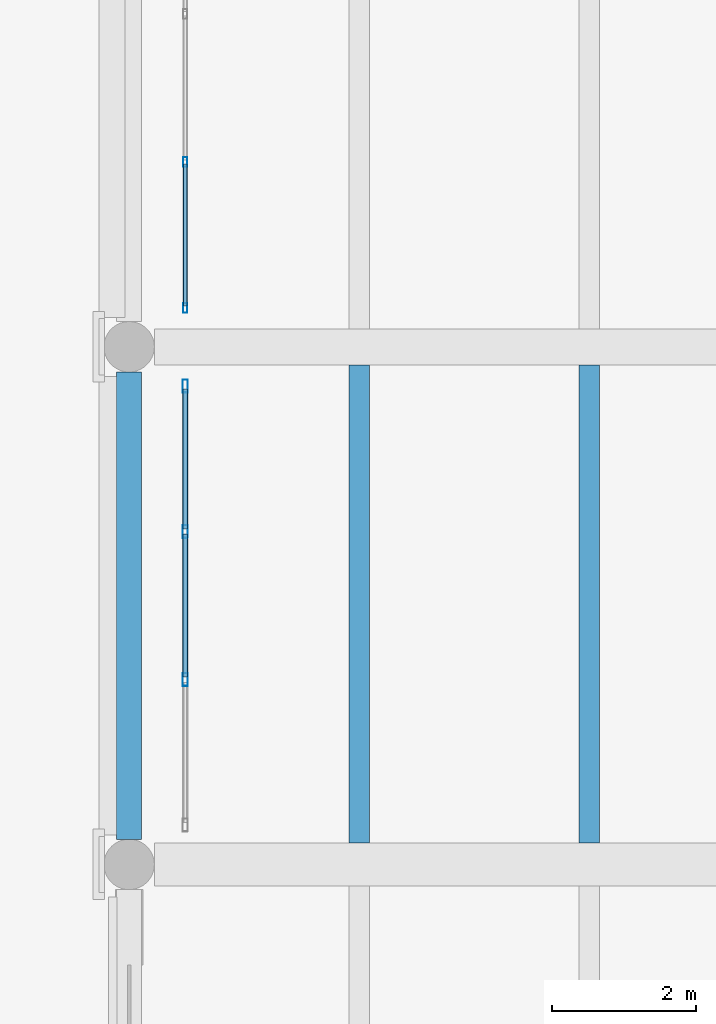
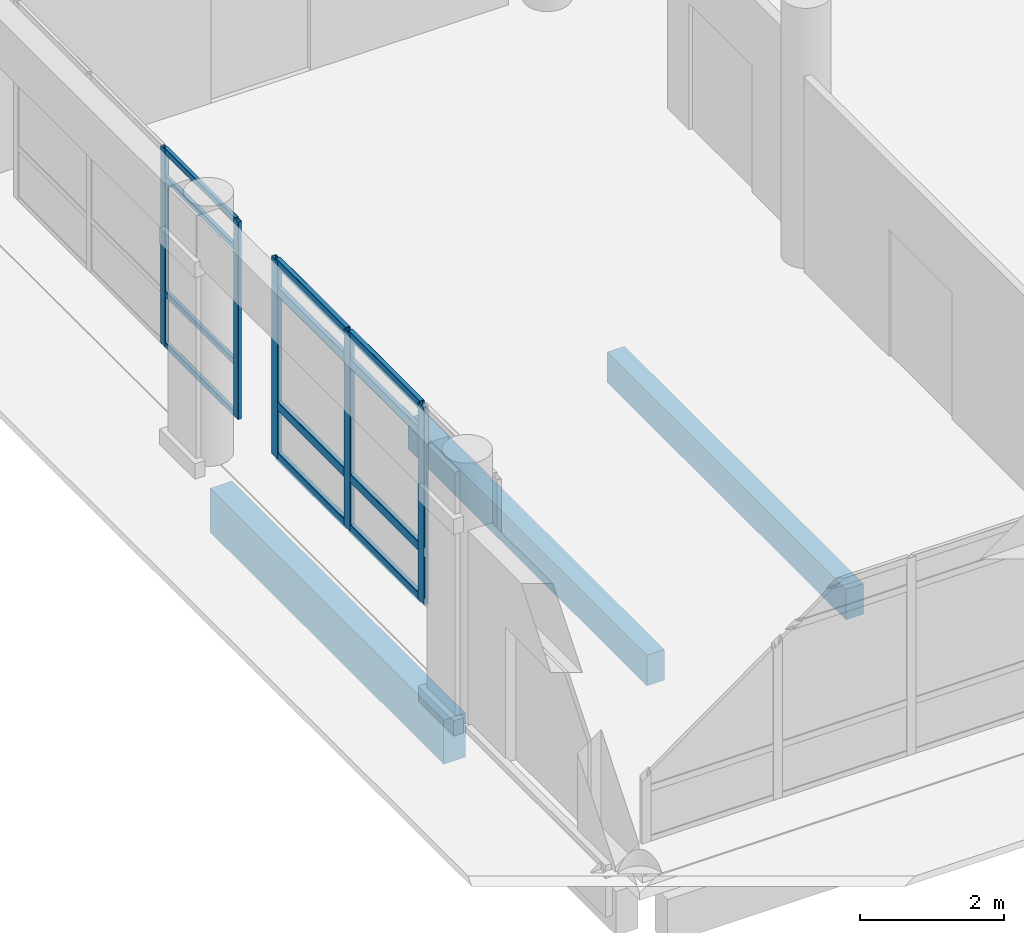
# One storey, part 23 of 196: 17 members, 3 beams, 2 elements without a shape of their own.
"""IFC4 building model written with IfcOpenShell, lengths in metres."""

import ifcopenshell
import ifcopenshell.guid

model = None  # the IFC model being written
_history = None  # IfcOwnerHistory: only IFC2X3 demands one
_inside = {}  # id of a spatial element -> (the spatial element, [elements in it])
_under = {}  # id of a project, library or spatial element -> (it, [spatial elements below it])
_declared = {}  # id of a project -> (the project, [libraries it declares])
_typed = {}  # id of a type object -> (the type object, [elements of that type])
_made_of = {}  # id of a material, layer set ... -> (it, [elements and type objects made of it])


def new_model(schema):
    """Start an empty IFC model of exactly this schema.

    Asked for "IFC4X3", IfcOpenShell would pick the latest addendum, in which some entities
    have other attributes; the version numbers below select the first issue.
    IFC2X3 requires an IfcOwnerHistory on every rooted entity: one is made here for all.
    """
    global model, _history
    if schema == "IFC4X3":
        model = ifcopenshell.file(schema_version=(4, 3, 0, 0))
    else:
        model = ifcopenshell.file(schema=schema)
    _inside.clear()
    _under.clear()
    _declared.clear()
    _typed.clear()
    _made_of.clear()
    _history = None
    if model.schema == "IFC2X3":
        org = make("IfcOrganization", Name="unknown")
        user = make(
            "IfcPersonAndOrganization",
            ThePerson=make("IfcPerson", FamilyName="unknown"),
            TheOrganization=org,
        )
        app = make(
            "IfcApplication",
            ApplicationDeveloper=org,
            Version="unknown",
            ApplicationFullName="unknown",
            ApplicationIdentifier="unknown",
        )
        _history = make(
            "IfcOwnerHistory",
            OwningUser=user,
            OwningApplication=app,
            ChangeAction="ADDED",
            CreationDate=0,
        )
    return model


def make(cls, **values):
    """One entity of the class cls with the attributes given. An attribute that is None is left unset."""
    return model.create_entity(
        cls, **{name: value for name, value in values.items() if value is not None}
    )


def rooted(cls, **values):
    """An entity with a GlobalId (a new one), such as an element, a storey or a relation."""
    return make(cls, GlobalId=ifcopenshell.guid.new(), OwnerHistory=_history, **values)


def si_unit(unit_type, name, prefix=None):
    """IfcSIUnit, for example si_unit("LENGTHUNIT", "METRE", prefix="MILLI")."""
    return make("IfcSIUnit", UnitType=unit_type, Prefix=prefix, Name=name)


def assignment(units):
    """IfcUnitAssignment: the units of a project."""
    return None if units is None else make("IfcUnitAssignment", Units=units)


def point(xyz):
    """IfcCartesianPoint."""
    return None if xyz is None else make("IfcCartesianPoint", Coordinates=xyz)


def direction(xyz):
    """IfcDirection."""
    return None if xyz is None else make("IfcDirection", DirectionRatios=xyz)


def frame(location, z_axis=None, x_axis=None):
    """IfcAxis2Placement3D, a coordinate frame: its origin and axes. An axis left out is left unset."""
    return make(
        "IfcAxis2Placement3D",
        Location=point(location),
        Axis=direction(z_axis),
        RefDirection=direction(x_axis),
    )


def frame_2d(location, x_axis=None):
    """IfcAxis2Placement2D, a coordinate frame in the plane: its origin and x axis."""
    return make(
        "IfcAxis2Placement2D", Location=point(location), RefDirection=direction(x_axis)
    )


def origin():
    """The frame at (0, 0, 0) with its axes left unset."""
    return frame((0.0, 0.0, 0.0))


def origin_2d():
    """The frame at (0, 0) in the plane with its x axis left unset."""
    return frame_2d((0.0, 0.0))


def place(relative_to, where):
    """IfcLocalPlacement: puts the frame where relative to a parent placement (None: the world)."""
    return make(
        "IfcLocalPlacement", PlacementRelTo=relative_to, RelativePlacement=where
    )


def context(
    kind, dimensions, precision=None, world=None, true_north=None, identifier=None
):
    """IfcGeometricRepresentationContext, for example the 3D "Model" context."""
    return make(
        "IfcGeometricRepresentationContext",
        ContextIdentifier=identifier,
        ContextType=kind,
        CoordinateSpaceDimension=dimensions,
        Precision=precision,
        WorldCoordinateSystem=world,
        TrueNorth=true_north,
    )


def subcontext(parent, identifier, kind, view, scale=None):
    """IfcGeometricRepresentationSubContext, for example "Body" below "Model"."""
    return make(
        "IfcGeometricRepresentationSubContext",
        ContextIdentifier=identifier,
        ContextType=kind,
        ParentContext=parent,
        TargetScale=scale,
        TargetView=view,
    )


def project(units=None, contexts=None):
    """IfcProject with its units and contexts."""
    return rooted(
        "IfcProject",
        Name="project",
        RepresentationContexts=contexts,
        UnitsInContext=assignment(units),
    )


def spatial(cls, under=None, at=None, **own):
    """A site, building, storey or space (cls), placed at a placement, below another one or the project."""
    s = rooted(cls, ObjectPlacement=at, **own)
    if under is not None:
        _under.setdefault(under.id(), (under, []))[1].append(s)
    return s


def profile(cls, at=None, kind="AREA", **sizes):
    """A parametric profile (cls). Its sizes go by their IFC names, for example OverallWidth=200.0."""
    return make(cls, ProfileType=kind, Position=at, **sizes)


def rectangle(**sizes):
    """IfcRectangleProfileDef."""
    return profile("IfcRectangleProfileDef", **sizes)


def hollow_rectangle(**sizes):
    """IfcRectangleHollowProfileDef."""
    return profile("IfcRectangleHollowProfileDef", **sizes)


def extrude(swept, where, along, depth):
    """IfcExtrudedAreaSolid: the profile swept, set in the frame where, extruded along a direction by depth."""
    return make(
        "IfcExtrudedAreaSolid",
        SweptArea=swept,
        Position=where,
        ExtrudedDirection=direction(along),
        Depth=depth,
    )


def shape(context_of_items, identifier, shape_type, items):
    """IfcShapeRepresentation: the items that make up one representation, for example the "Body"."""
    return make(
        "IfcShapeRepresentation",
        ContextOfItems=context_of_items,
        RepresentationIdentifier=identifier,
        RepresentationType=shape_type,
        Items=items,
    )


def material(Name=None, Category=None):
    """IfcMaterial."""
    return make("IfcMaterial", Name=Name, Category=Category)


def layer(
    of_material, thickness, ventilated=None, Name=None, Category=None, Priority=None
):
    """IfcMaterialLayer: one layer of a wall or slab, of a material (None: an air gap)."""
    return make(
        "IfcMaterialLayer",
        Material=of_material,
        LayerThickness=thickness,
        IsVentilated=ventilated,
        Name=Name,
        Category=Category,
        Priority=Priority,
    )


def layer_set(layers, Name=None):
    """IfcMaterialLayerSet."""
    return make("IfcMaterialLayerSet", MaterialLayers=layers, LayerSetName=Name)


def material_profile(
    of_material, cross_section, Name=None, Category=None, Priority=None
):
    """IfcMaterialProfile: a cross section and its material."""
    return make(
        "IfcMaterialProfile",
        Name=Name,
        Material=of_material,
        Profile=cross_section,
        Priority=Priority,
        Category=Category,
    )


def profile_set(profiles, Name=None, composite=None):
    """IfcMaterialProfileSet."""
    return make(
        "IfcMaterialProfileSet",
        Name=Name,
        MaterialProfiles=profiles,
        CompositeProfile=composite,
    )


def made_of(thing, what):
    """Note that an element or type object is made of a material, layer set ...; save() writes the relation."""
    if what is not None:
        _made_of.setdefault(what.id(), (what, []))[1].append(thing)
    return thing


def type_object(cls, material=None, **own):
    """A type object (cls), such as IfcWallType, which elements share."""
    return made_of(rooted(cls, **own), material)


def element(
    cls,
    number,
    at=None,
    inside=None,
    cuts=None,
    type_object=None,
    material=None,
    context=None,
    identifier="Body",
    shape_type=None,
    held_by="IfcProductDefinitionShape",
    body=None,
    shapes=None,
    **own,
):
    """One element of the class cls, such as IfcWall. Its Tag is "e" and its number.

    at: its placement. inside: the storey or other place that contains it. cuts: it is an
    opening in that element (IfcRelVoidsElement). A single representation is given by context,
    identifier, shape_type and body (its items); several are given by shapes. held_by: the class
    of the entity that holds the representations. save() writes the other relations.
    """
    e = rooted(cls, Tag="e%d" % number, ObjectPlacement=at, **own)
    if body is not None:
        shapes = [shape(context, identifier, shape_type, body)]
    if shapes is not None:
        e.Representation = make(held_by, Representations=shapes)
    if inside is not None:
        _inside.setdefault(inside.id(), (inside, []))[1].append(e)
    if cuts is not None:
        rooted(
            "IfcRelVoidsElement", RelatingBuildingElement=cuts, RelatedOpeningElement=e
        )
    if type_object is not None:
        _typed.setdefault(type_object.id(), (type_object, []))[1].append(e)
    return made_of(e, material)


def aggregate(whole, parts):
    """IfcRelAggregates: a whole, such as a stair, and the parts it consists of."""
    return rooted("IfcRelAggregates", RelatingObject=whole, RelatedObjects=parts)


def save(model, path):
    """Write the relations noted so far, then the file.

    IfcRelAggregates (storeys below a building ...), IfcRelContainedInSpatialStructure (elements
    in a storey), IfcRelDefinesByType, IfcRelAssociatesMaterial and IfcRelDeclares: one each for
    every whole, place, type object, material and project.
    """
    for whole, parts in _under.values():
        aggregate(whole, parts)
    for where, things in _inside.values():
        rooted(
            "IfcRelContainedInSpatialStructure",
            RelatedElements=things,
            RelatingStructure=where,
        )
    for kind, things in _typed.values():
        rooted("IfcRelDefinesByType", RelatedObjects=things, RelatingType=kind)
    for what, things in _made_of.values():
        rooted("IfcRelAssociatesMaterial", RelatedObjects=things, RelatingMaterial=what)
    for by, libraries in _declared.values():
        rooted("IfcRelDeclares", RelatingContext=by, RelatedDefinitions=libraries)
    model.write(path)


model = new_model("IFC4")

# Units and contexts
model_context = context("Model", 3, precision=1e-05, world=origin(), true_north=direction((0.0, 1.0)))
body_context = subcontext(model_context, "Body", "Model", "MODEL_VIEW")
ifc_project = project(units=[si_unit("LENGTHUNIT", "METRE"), si_unit("AREAUNIT", "SQUARE_METRE"), si_unit("VOLUMEUNIT", "CUBIC_METRE"), si_unit("PLANEANGLEUNIT", "RADIAN"), si_unit("MASSUNIT", "GRAM", prefix="KILO")], contexts=[model_context])

# Site, building, storey
site_placement = place(None, origin())
site = spatial("IfcSite", under=ifc_project, at=site_placement, CompositionType="ELEMENT")
building_placement = place(site_placement, origin())
building = spatial("IfcBuilding", under=site, at=building_placement, Name="Asteropetra Specialist Clinic", CompositionType="ELEMENT")
storey_placement = place(building_placement, origin())
storey = spatial("IfcBuildingStorey", under=building, at=storey_placement, Name="L00", CompositionType="ELEMENT", Elevation=0.0)

# Curtain wall, members
ifc_material_1 = material(Name="Aluminium and low-E glass", Category="aluminium")
ifc_layer = layer(ifc_material_1, 0.179931640625)
ifc_layer_set = layer_set([ifc_layer], Name="Aluminium and low-E glass")
curtain_wall_type = type_object("IfcCurtainWallType", Name="CW-SYS-10", PredefinedType="USERDEFINED", material=ifc_layer_set)
curtain_wall_1_placement = place(storey_placement, origin())
curtain_wall_1 = element("IfcCurtainWall", 1, at=curtain_wall_1_placement, inside=storey, type_object=curtain_wall_type, Name="Curtain Wall CW-131", ObjectType="STICK GLAZED COLONNADE", PredefinedType="USERDEFINED")
ifc_material_2 = material(Name="Aluminium 6063-T6", Category="aluminium")
ifc_material_profile_1 = material_profile(ifc_material_2, hollow_rectangle(XDim=0.06005859375, YDim=0.135009765625, WallThickness=0.00341796875, InnerFilletRadius=0.00341796875, OuterFilletRadius=0.007080078125, at=origin_2d()), Name="MUL 135x60x3.5")
ifc_profile_set_1 = profile_set([ifc_material_profile_1], Name="Aluminium 6063-T6")
member_type_1 = type_object("IfcMemberType", Name="CWM-135x60", PredefinedType="MULLION", material=ifc_profile_set_1)
member_1_placement = place(storey_placement, frame((0.780029296875, 14.570068359375, 0.0), z_axis=(0.0, 0.0, 1.0), x_axis=(1.0, 0.0, 0.0)))
member_1 = element("IfcMember", 2, at=member_1_placement, type_object=member_type_1, Name="CW-131 mullion 3", PredefinedType="MULLION", context=body_context, shape_type="SweptSolid", body=[
    extrude(hollow_rectangle(XDim=0.06005859375, YDim=0.135009765625, WallThickness=0.00341796875, InnerFilletRadius=0.00341796875, OuterFilletRadius=0.007080078125, at=origin_2d()), origin(), (0.0, 0.0, 1.0), 3.35009765625),
])
member_2_placement = place(storey_placement, frame((0.780029296875, 12.5400390625, 0.0), z_axis=(0.0, 0.0, 1.0), x_axis=(1.0, 0.0, 0.0)))
member_2 = element("IfcMember", 3, at=member_2_placement, type_object=member_type_1, Name="CW-131 mullion 4", PredefinedType="MULLION", context=body_context, shape_type="SweptSolid", body=[
    extrude(hollow_rectangle(XDim=0.06005859375, YDim=0.135009765625, WallThickness=0.00341796875, InnerFilletRadius=0.00341796875, OuterFilletRadius=0.007080078125, at=origin_2d()), origin(), (0.0, 0.0, 1.0), 3.35009765625),
])

curtain_wall_2_placement = place(storey_placement, origin())
curtain_wall_2 = element("IfcCurtainWall", 4, at=curtain_wall_2_placement, inside=storey, type_object=curtain_wall_type, Name="Curtain Wall CW-129", ObjectType="STICK GLAZED COLONNADE", PredefinedType="USERDEFINED")
ifc_material_3 = material(Name="Aluminium 6063-T6", Category="aluminium")
ifc_material_profile_2 = material_profile(ifc_material_3, hollow_rectangle(XDim=0.074951171875, YDim=0.179931640625, WallThickness=0.00390625, InnerFilletRadius=0.00390625, OuterFilletRadius=0.008056640625, at=origin_2d()), Name="MUL 180x75x4.0")
ifc_profile_set_2 = profile_set([ifc_material_profile_2], Name="Aluminium 6063-T6")
member_type_2 = type_object("IfcMemberType", Name="CWM-180x75", PredefinedType="MULLION", material=ifc_profile_set_2)
member_3_placement = place(storey_placement, frame((0.780029296875, 11.452392578125, 0.0), z_axis=(0.0, 0.0, 1.0), x_axis=(1.0, 0.0, 0.0)))
member_3 = element("IfcMember", 5, at=member_3_placement, type_object=member_type_2, Name="CW-129 mullion 1", PredefinedType="MULLION", context=body_context, shape_type="SweptSolid", body=[
    extrude(hollow_rectangle(XDim=0.074951171875, YDim=0.179931640625, WallThickness=0.00390625, InnerFilletRadius=0.00390625, OuterFilletRadius=0.008056640625, at=origin_2d()), origin(), (0.0, 0.0, 1.0), 3.35009765625),
])
member_4_placement = place(storey_placement, frame((0.780029296875, 9.429931640625, 0.0), z_axis=(0.0, 0.0, 1.0), x_axis=(1.0, 0.0, 0.0)))
member_4 = element("IfcMember", 6, at=member_4_placement, type_object=member_type_2, Name="CW-129 mullion 2", PredefinedType="MULLION", context=body_context, shape_type="SweptSolid", body=[
    extrude(hollow_rectangle(XDim=0.074951171875, YDim=0.179931640625, WallThickness=0.00390625, InnerFilletRadius=0.00390625, OuterFilletRadius=0.008056640625, at=origin_2d()), origin(), (0.0, 0.0, 1.0), 3.35009765625),
])
member_5_placement = place(storey_placement, frame((0.780029296875, 7.3701171875, 0.0), z_axis=(0.0, 0.0, 1.0), x_axis=(1.0, 0.0, 0.0)))
member_5 = element("IfcMember", 7, at=member_5_placement, type_object=member_type_2, Name="CW-129 mullion 3", PredefinedType="MULLION", context=body_context, shape_type="SweptSolid", body=[
    extrude(hollow_rectangle(XDim=0.074951171875, YDim=0.179931640625, WallThickness=0.00390625, InnerFilletRadius=0.00390625, OuterFilletRadius=0.008056640625, at=origin_2d()), origin(), (0.0, 0.0, 1.0), 3.35009765625),
])

# Member
ifc_material_4 = material(Name="Aluminium 6063-T6", Category="aluminium")
ifc_material_profile_3 = material_profile(ifc_material_4, hollow_rectangle(XDim=0.06005859375, YDim=0.10009765625, WallThickness=0.00341796875, InnerFilletRadius=0.00341796875, OuterFilletRadius=0.007080078125, at=origin_2d()), Name="TRN 100x60x3.5")
ifc_profile_set_3 = profile_set([ifc_material_profile_3], Name="Aluminium 6063-T6")
member_type_3 = type_object("IfcMemberType", Name="CWT-100x60", PredefinedType="USERDEFINED", material=ifc_profile_set_3)
member_6_placement = place(storey_placement, frame((0.780029296875, 14.5400390625, 0.030029296875), z_axis=(0.0, -1.0, 0.0), x_axis=(1.0, 0.0, 0.0)))
member_6 = element("IfcMember", 8, at=member_6_placement, type_object=member_type_3, Name="CW-131 transom 3.1", ObjectType="TRANSOM", PredefinedType="USERDEFINED", context=body_context, shape_type="SweptSolid", body=[
    extrude(hollow_rectangle(XDim=0.06005859375, YDim=0.10009765625, WallThickness=0.00341796875, InnerFilletRadius=0.00341796875, OuterFilletRadius=0.007080078125, at=origin_2d()), origin(), (0.0, 0.0, 1.0), 1.969970703125),
])

member_7_placement = place(storey_placement, frame((0.780029296875, 14.5400390625, 0.89990234375), z_axis=(0.0, -1.0, 0.0), x_axis=(1.0, 0.0, 0.0)))
member_7 = element("IfcMember", 9, at=member_7_placement, type_object=member_type_3, Name="CW-131 transom 3.2", ObjectType="TRANSOM", PredefinedType="USERDEFINED", context=body_context, shape_type="SweptSolid", body=[
    extrude(hollow_rectangle(XDim=0.06005859375, YDim=0.10009765625, WallThickness=0.00341796875, InnerFilletRadius=0.00341796875, OuterFilletRadius=0.007080078125, at=origin_2d()), origin(), (0.0, 0.0, 1.0), 1.969970703125),
])

member_8_placement = place(storey_placement, frame((0.780029296875, 14.5400390625, 2.85009765625), z_axis=(0.0, -1.0, 0.0), x_axis=(1.0, 0.0, 0.0)))
member_8 = element("IfcMember", 10, at=member_8_placement, type_object=member_type_3, Name="CW-131 transom 3.3", ObjectType="TRANSOM", PredefinedType="USERDEFINED", context=body_context, shape_type="SweptSolid", body=[
    extrude(hollow_rectangle(XDim=0.06005859375, YDim=0.10009765625, WallThickness=0.00341796875, InnerFilletRadius=0.00341796875, OuterFilletRadius=0.007080078125, at=origin_2d()), origin(), (0.0, 0.0, 1.0), 1.969970703125),
])

member_9_placement = place(storey_placement, frame((0.780029296875, 14.5400390625, 3.320068359375), z_axis=(0.0, -1.0, 0.0), x_axis=(1.0, 0.0, 0.0)))
member_9 = element("IfcMember", 11, at=member_9_placement, type_object=member_type_3, Name="CW-131 transom 3.4", ObjectType="TRANSOM", PredefinedType="USERDEFINED", context=body_context, shape_type="SweptSolid", body=[
    extrude(hollow_rectangle(XDim=0.06005859375, YDim=0.10009765625, WallThickness=0.00341796875, InnerFilletRadius=0.00341796875, OuterFilletRadius=0.007080078125, at=origin_2d()), origin(), (0.0, 0.0, 1.0), 1.969970703125),
])

aggregate(curtain_wall_1, [member_1, member_2, member_6, member_7, member_8, member_9])

ifc_material_5 = material(Name="Aluminium 6063-T6", Category="aluminium")
ifc_material_profile_4 = material_profile(ifc_material_5, hollow_rectangle(XDim=0.074951171875, YDim=0.14990234375, WallThickness=0.00390625, InnerFilletRadius=0.00390625, OuterFilletRadius=0.008056640625, at=origin_2d()), Name="TRN 150x75x4.0")
ifc_profile_set_4 = profile_set([ifc_material_profile_4], Name="Aluminium 6063-T6")
member_type_4 = type_object("IfcMemberType", Name="CWT-150x75", PredefinedType="USERDEFINED", material=ifc_profile_set_4)
member_10_placement = place(storey_placement, frame((0.780029296875, 11.4150390625, 0.03759765625), z_axis=(0.0, -1.0, 0.0), x_axis=(1.0, 0.0, 0.0)))
member_10 = element("IfcMember", 12, at=member_10_placement, type_object=member_type_4, Name="CW-129 transom 1.1", ObjectType="TRANSOM", PredefinedType="USERDEFINED", context=body_context, shape_type="SweptSolid", body=[
    extrude(hollow_rectangle(XDim=0.074951171875, YDim=0.14990234375, WallThickness=0.00390625, InnerFilletRadius=0.00390625, OuterFilletRadius=0.008056640625, at=origin_2d()), origin(), (0.0, 0.0, 1.0), 1.947509765625),
])

member_11_placement = place(storey_placement, frame((0.780029296875, 11.4150390625, 0.89990234375), z_axis=(0.0, -1.0, 0.0), x_axis=(1.0, 0.0, 0.0)))
member_11 = element("IfcMember", 13, at=member_11_placement, type_object=member_type_4, Name="CW-129 transom 1.2", ObjectType="TRANSOM", PredefinedType="USERDEFINED", context=body_context, shape_type="SweptSolid", body=[
    extrude(hollow_rectangle(XDim=0.074951171875, YDim=0.14990234375, WallThickness=0.00390625, InnerFilletRadius=0.00390625, OuterFilletRadius=0.008056640625, at=origin_2d()), origin(), (0.0, 0.0, 1.0), 1.947509765625),
])

member_12_placement = place(storey_placement, frame((0.780029296875, 11.4150390625, 2.85009765625), z_axis=(0.0, -1.0, 0.0), x_axis=(1.0, 0.0, 0.0)))
member_12 = element("IfcMember", 14, at=member_12_placement, type_object=member_type_4, Name="CW-129 transom 1.3", ObjectType="TRANSOM", PredefinedType="USERDEFINED", context=body_context, shape_type="SweptSolid", body=[
    extrude(hollow_rectangle(XDim=0.074951171875, YDim=0.14990234375, WallThickness=0.00390625, InnerFilletRadius=0.00390625, OuterFilletRadius=0.008056640625, at=origin_2d()), origin(), (0.0, 0.0, 1.0), 1.947509765625),
])

member_13_placement = place(storey_placement, frame((0.780029296875, 11.4150390625, 3.3125), z_axis=(0.0, -1.0, 0.0), x_axis=(1.0, 0.0, 0.0)))
member_13 = element("IfcMember", 15, at=member_13_placement, type_object=member_type_4, Name="CW-129 transom 1.4", ObjectType="TRANSOM", PredefinedType="USERDEFINED", context=body_context, shape_type="SweptSolid", body=[
    extrude(hollow_rectangle(XDim=0.074951171875, YDim=0.14990234375, WallThickness=0.00390625, InnerFilletRadius=0.00390625, OuterFilletRadius=0.008056640625, at=origin_2d()), origin(), (0.0, 0.0, 1.0), 1.947509765625),
])

member_14_placement = place(storey_placement, frame((0.780029296875, 9.392578125, 0.03759765625), z_axis=(0.0, -1.0, 0.0), x_axis=(1.0, 0.0, 0.0)))
member_14 = element("IfcMember", 16, at=member_14_placement, type_object=member_type_4, Name="CW-129 transom 2.1", ObjectType="TRANSOM", PredefinedType="USERDEFINED", context=body_context, shape_type="SweptSolid", body=[
    extrude(hollow_rectangle(XDim=0.074951171875, YDim=0.14990234375, WallThickness=0.00390625, InnerFilletRadius=0.00390625, OuterFilletRadius=0.008056640625, at=origin_2d()), origin(), (0.0, 0.0, 1.0), 1.985107421875),
])

member_15_placement = place(storey_placement, frame((0.780029296875, 9.392578125, 0.89990234375), z_axis=(0.0, -1.0, 0.0), x_axis=(1.0, 0.0, 0.0)))
member_15 = element("IfcMember", 17, at=member_15_placement, type_object=member_type_4, Name="CW-129 transom 2.2", ObjectType="TRANSOM", PredefinedType="USERDEFINED", context=body_context, shape_type="SweptSolid", body=[
    extrude(hollow_rectangle(XDim=0.074951171875, YDim=0.14990234375, WallThickness=0.00390625, InnerFilletRadius=0.00390625, OuterFilletRadius=0.008056640625, at=origin_2d()), origin(), (0.0, 0.0, 1.0), 1.985107421875),
])

member_16_placement = place(storey_placement, frame((0.780029296875, 9.392578125, 2.85009765625), z_axis=(0.0, -1.0, 0.0), x_axis=(1.0, 0.0, 0.0)))
member_16 = element("IfcMember", 18, at=member_16_placement, type_object=member_type_4, Name="CW-129 transom 2.3", ObjectType="TRANSOM", PredefinedType="USERDEFINED", context=body_context, shape_type="SweptSolid", body=[
    extrude(hollow_rectangle(XDim=0.074951171875, YDim=0.14990234375, WallThickness=0.00390625, InnerFilletRadius=0.00390625, OuterFilletRadius=0.008056640625, at=origin_2d()), origin(), (0.0, 0.0, 1.0), 1.985107421875),
])

member_17_placement = place(storey_placement, frame((0.780029296875, 9.392578125, 3.3125), z_axis=(0.0, -1.0, 0.0), x_axis=(1.0, 0.0, 0.0)))
member_17 = element("IfcMember", 19, at=member_17_placement, type_object=member_type_4, Name="CW-129 transom 2.4", ObjectType="TRANSOM", PredefinedType="USERDEFINED", context=body_context, shape_type="SweptSolid", body=[
    extrude(hollow_rectangle(XDim=0.074951171875, YDim=0.14990234375, WallThickness=0.00390625, InnerFilletRadius=0.00390625, OuterFilletRadius=0.008056640625, at=origin_2d()), origin(), (0.0, 0.0, 1.0), 1.985107421875),
])

aggregate(curtain_wall_2, [member_3, member_4, member_5, member_10, member_11, member_12, member_13, member_14, member_15, member_16, member_17])

# Beams
ifc_material_6 = material(Name="Concrete C35/45", Category="concrete")
ifc_material_profile_5 = material_profile(ifc_material_6, rectangle(XDim=0.280029296875, YDim=0.52001953125, at=origin_2d()), Name="RCJ 280x520")
ifc_profile_set_5 = profile_set([ifc_material_profile_5], Name="Concrete C35/45")
beam_type_1 = type_object("IfcBeamType", Name="JST-RC280x520", PredefinedType="JOIST", material=ifc_profile_set_5)
for number, where, z_axis, x_axis, name in (
    (20, (3.199951171875, 5.10009765625, -0.60009765625), (0.0, 1.0, 0.0), (-1.0, 0.0, 0.0), "Joist JJST01-0057"),
    (21, (6.39990234375, 5.10009765625, -0.60009765625), (0.0, 1.0, 0.0), (-1.0, 0.0, 0.0), "Joist JJST01-0058"),
):
    element("IfcBeam", number, at=place(storey_placement, frame(where, z_axis=z_axis, x_axis=x_axis)), inside=storey, type_object=beam_type_1, Name=name, PredefinedType="JOIST", context=body_context, shape_type="SweptSolid", body=[
        extrude(rectangle(XDim=0.280029296875, YDim=0.52001953125, at=origin_2d()), origin(), (0.0, 0.0, 1.0), 6.64990234375),
    ])
ifc_material_7 = material(Name="Concrete C35/45", Category="concrete")
ifc_material_profile_6 = material_profile(ifc_material_7, rectangle(XDim=0.35009765625, YDim=0.75, at=origin_2d()), Name="RCS 350x750")
ifc_profile_set_6 = profile_set([ifc_material_profile_6], Name="Concrete C35/45")
beam_type_2 = type_object("IfcBeamType", Name="SPN-RC350x750", PredefinedType="SPANDREL", material=ifc_profile_set_6)
beam_placement = place(storey_placement, frame((0.0, 5.14990234375, -0.715087890625), z_axis=(0.0, 1.0, 0.0), x_axis=(-1.0, 0.0, 0.0)))
element("IfcBeam", 22, at=beam_placement, inside=storey, type_object=beam_type_2, Name="Beam BSPN01-0050", PredefinedType="SPANDREL", context=body_context, shape_type="SweptSolid", body=[
    extrude(rectangle(XDim=0.35009765625, YDim=0.75, at=origin_2d()), origin(), (0.0, 0.0, 1.0), 6.5),
])

save(model, "model.ifc")
